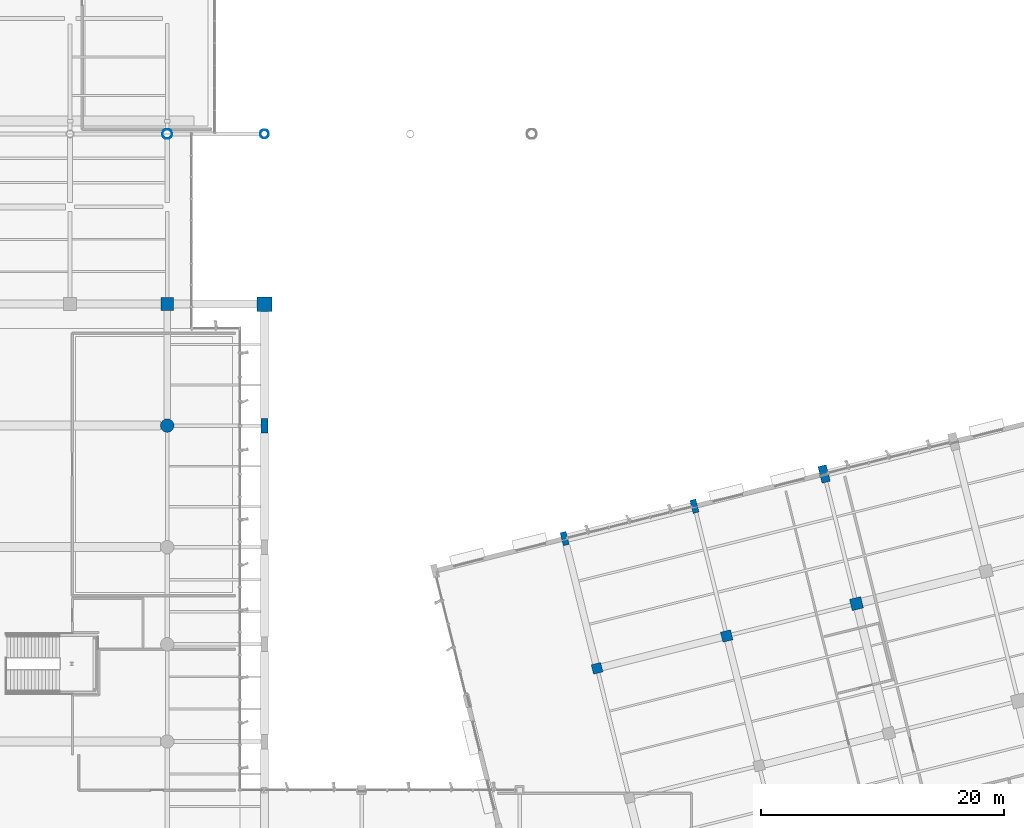
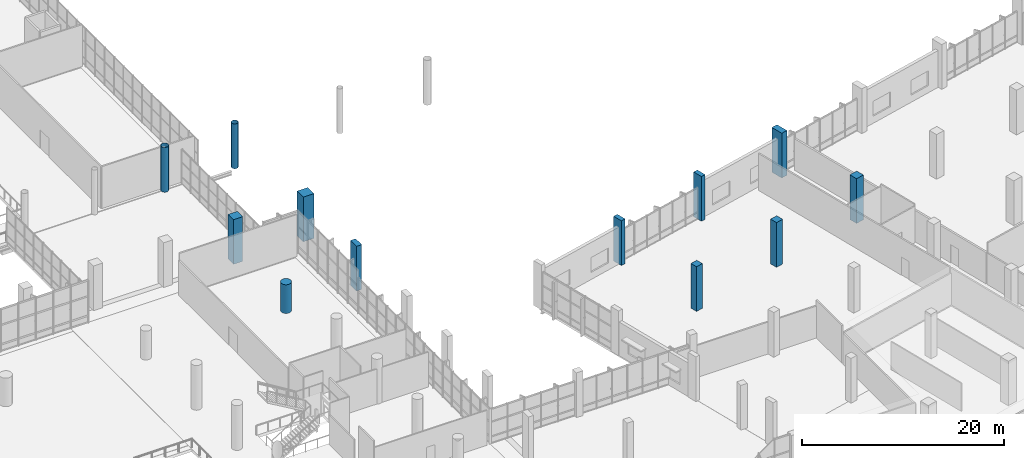
# One storey, part 14 of 176: 12 columns.
"""IFC4 building model written with IfcOpenShell, lengths in metres."""

from ifc_helpers import new_model, si_unit, direction, frame, origin, origin_2d, place, context, subcontext, project, spatial, rectangle, circle, hollow_circle, extrude, material, material_profile, profile_set, type_object, element, save


model = new_model("IFC4")

# Units and contexts
model_context = context("Model", 3, precision=1e-05, world=origin(), true_north=direction((0.0, 1.0)))
body_context = subcontext(model_context, "Body", "Model", "MODEL_VIEW")
ifc_project = project(units=[si_unit("LENGTHUNIT", "METRE"), si_unit("AREAUNIT", "SQUARE_METRE"), si_unit("VOLUMEUNIT", "CUBIC_METRE"), si_unit("PLANEANGLEUNIT", "RADIAN"), si_unit("MASSUNIT", "GRAM", prefix="KILO")], contexts=[model_context])

# Site, building, storey
site_placement = place(None, origin())
site = spatial("IfcSite", under=ifc_project, at=site_placement, CompositionType="ELEMENT")
building_placement = place(site_placement, origin())
building = spatial("IfcBuilding", under=site, at=building_placement, Name="Khorjan Park Terminus", CompositionType="ELEMENT")
storey_placement = place(building_placement, frame((0.0, 0.0, 6.0)))
storey = spatial("IfcBuildingStorey", under=building, at=storey_placement, Name="L01", CompositionType="ELEMENT", Elevation=6.0)

# Columns
ifc_material_1 = material(Name="Concrete C50/60", Category="concrete")
ifc_material_profile_1 = material_profile(ifc_material_1, rectangle(XDim=0.5, YDim=1.1, at=origin_2d()), Name="RC 500x1100")
ifc_profile_set_1 = profile_set([ifc_material_profile_1], Name="Concrete C50/60")
column_type_1 = type_object("IfcColumnType", Name="COL-BL1100E", PredefinedType="COLUMN", material=ifc_profile_set_1)
for number, where, z_axis, x_axis, name in (
    (1, (160.706, 68.701, 0.0), (0.0, 0.0, 1.0), (0.970295726276, 0.2419218956, 0.0), "Structural column C-BL11 (L01 #718)"),
    (2, (171.38, 71.362, 0.0), (0.0, 0.0, 1.0), (0.970295726276, 0.2419218956, 0.0), "Structural column C-BL11 (L01 #747)"),
):
    element("IfcColumn", number, at=place(storey_placement, frame(where, z_axis=z_axis, x_axis=x_axis)), inside=storey, type_object=column_type_1, Name=name, PredefinedType="COLUMN", context=body_context, shape_type="SweptSolid", body=[
        extrude(rectangle(XDim=0.5, YDim=1.1, at=origin_2d()), origin(), (0.0, 0.0, 1.0), 5.4),
    ])
ifc_material_profile_2 = material_profile(ifc_material_1, rectangle(XDim=0.6, YDim=1.2, at=origin_2d()), Name="RC 600x1200")
ifc_profile_set_2 = profile_set([ifc_material_profile_2], Name="Concrete C50/60")
column_type_2 = type_object("IfcColumnType", Name="COL-BL1200", PredefinedType="COLUMN", material=ifc_profile_set_2)
column_1_placement = place(storey_placement, frame((136.0, 78.0, 0.0), z_axis=(0.0, 0.0, 1.0), x_axis=(1.0, 0.0, 0.0)))
element("IfcColumn", 3, at=column_1_placement, inside=storey, type_object=column_type_2, Name="Structural column C-BL12 (L01 #498)", PredefinedType="COLUMN", context=body_context, shape_type="SweptSolid", body=[
    extrude(rectangle(XDim=0.6, YDim=1.2, at=origin_2d()), origin(), (0.0, 0.0, 1.0), 5.4),
])
ifc_material_profile_3 = material_profile(ifc_material_1, rectangle(XDim=0.7, YDim=1.4, at=origin_2d()), Name="RC 700x1400")
ifc_profile_set_3 = profile_set([ifc_material_profile_3], Name="Concrete C50/60")
column_type_3 = type_object("IfcColumnType", Name="COL-BL1400E", PredefinedType="COLUMN", material=ifc_profile_set_3)
column_2_placement = place(storey_placement, frame((182.053, 74.023, 0.0), z_axis=(0.0, 0.0, 1.0), x_axis=(0.970295726276, 0.2419218956, 0.0)))
element("IfcColumn", 4, at=column_2_placement, inside=storey, type_object=column_type_3, Name="Structural column C-BL14 (L01 #787)", PredefinedType="COLUMN", context=body_context, shape_type="SweptSolid", body=[
    extrude(rectangle(XDim=0.7, YDim=1.4, at=origin_2d()), origin(), (0.0, 0.0, 1.0), 5.4),
])
ifc_material_profile_4 = material_profile(ifc_material_1, rectangle(XDim=1.05, YDim=1.05, at=origin_2d()), Name="RC 1050x1050")
ifc_profile_set_4 = profile_set([ifc_material_profile_4], Name="Concrete C50/60")
column_type_4 = type_object("IfcColumnType", Name="COL-RC1050", PredefinedType="COLUMN", material=ifc_profile_set_4)
column_3_placement = place(storey_placement, frame((128.0, 88.0, 0.0), z_axis=(0.0, 0.0, 1.0), x_axis=(1.0, 0.0, 0.0)))
element("IfcColumn", 5, at=column_3_placement, inside=storey, type_object=column_type_4, Name="Structural column C-RC105 (L01 #463)", PredefinedType="COLUMN", context=body_context, shape_type="SweptSolid", body=[
    extrude(rectangle(XDim=1.05, YDim=1.05, at=origin_2d()), origin(), (0.0, 0.0, 1.0), 5.4),
])
ifc_material_profile_5 = material_profile(ifc_material_1, rectangle(XDim=1.2, YDim=1.2, at=origin_2d()), Name="RC 1200x1200")
ifc_profile_set_5 = profile_set([ifc_material_profile_5], Name="Concrete C50/60")
column_type_5 = type_object("IfcColumnType", Name="COL-RC1200", PredefinedType="COLUMN", material=ifc_profile_set_5)
column_4_placement = place(storey_placement, frame((136.0, 88.0, 0.0), z_axis=(0.0, 0.0, 1.0), x_axis=(1.0, 0.0, 0.0)))
element("IfcColumn", 6, at=column_4_placement, inside=storey, type_object=column_type_5, Name="Structural column C-RC12 (L01 #503)", PredefinedType="COLUMN", context=body_context, shape_type="SweptSolid", body=[
    extrude(rectangle(XDim=1.2, YDim=1.2, at=origin_2d()), origin(), (0.0, 0.0, 1.0), 5.4),
])
ifc_material_2 = material(Name="Concrete C40/50", Category="concrete")
ifc_material_profile_6 = material_profile(ifc_material_2, rectangle(XDim=0.8, YDim=0.8, at=origin_2d()), Name="RC 800x800")
ifc_profile_set_6 = profile_set([ifc_material_profile_6], Name="Concrete C40/50")
column_type_6 = type_object("IfcColumnType", Name="COL-RC800", PredefinedType="COLUMN", material=ifc_profile_set_6)
column_5_placement = place(storey_placement, frame((163.368, 58.027, 0.0), z_axis=(0.0, 0.0, 1.0), x_axis=(0.970295726276, 0.2419218956, 0.0)))
element("IfcColumn", 7, at=column_5_placement, inside=storey, type_object=column_type_6, Name="Structural column C-RC08 (L01 #715)", PredefinedType="COLUMN", context=body_context, shape_type="SweptSolid", body=[
    extrude(rectangle(XDim=0.8, YDim=0.8, at=origin_2d()), origin(), (0.0, 0.0, 1.0), 5.4),
])
ifc_material_profile_7 = material_profile(ifc_material_2, rectangle(XDim=0.85, YDim=0.85, at=origin_2d()), Name="RC 850x850")
ifc_profile_set_7 = profile_set([ifc_material_profile_7], Name="Concrete C40/50")
column_type_7 = type_object("IfcColumnType", Name="COL-RC850", PredefinedType="COLUMN", material=ifc_profile_set_7)
column_6_placement = place(storey_placement, frame((174.041, 60.688, 0.0), z_axis=(0.0, 0.0, 1.0), x_axis=(0.970295726276, 0.2419218956, 0.0)))
element("IfcColumn", 8, at=column_6_placement, inside=storey, type_object=column_type_7, Name="Structural column C-RC85 (L01 #743)", PredefinedType="COLUMN", context=body_context, shape_type="SweptSolid", body=[
    extrude(rectangle(XDim=0.85, YDim=0.85, at=origin_2d()), origin(), (0.0, 0.0, 1.0), 5.4),
])
ifc_material_profile_8 = material_profile(ifc_material_1, rectangle(XDim=0.95, YDim=0.95, at=origin_2d()), Name="RC 950x950")
ifc_profile_set_8 = profile_set([ifc_material_profile_8], Name="Concrete C50/60")
column_type_8 = type_object("IfcColumnType", Name="COL-RC950", PredefinedType="COLUMN", material=ifc_profile_set_8)
column_7_placement = place(storey_placement, frame((184.714, 63.35, 0.0), z_axis=(0.0, 0.0, 1.0), x_axis=(0.970295726276, 0.2419218956, 0.0)))
element("IfcColumn", 9, at=column_7_placement, inside=storey, type_object=column_type_8, Name="Structural column C-RC95 (L01 #782)", PredefinedType="COLUMN", context=body_context, shape_type="SweptSolid", body=[
    extrude(rectangle(XDim=0.95, YDim=0.95, at=origin_2d()), origin(), (0.0, 0.0, 1.0), 5.4),
])
ifc_material_profile_9 = material_profile(ifc_material_1, circle(Radius=0.55, at=origin_2d()), Name="RC D1100")
ifc_profile_set_9 = profile_set([ifc_material_profile_9], Name="Concrete C50/60")
column_type_9 = type_object("IfcColumnType", Name="COL-RD1100", PredefinedType="COLUMN", material=ifc_profile_set_9)
column_8_placement = place(storey_placement, frame((128.0, 78.0, 0.0), z_axis=(0.0, 0.0, 1.0), x_axis=(1.0, 0.0, 0.0)))
element("IfcColumn", 10, at=column_8_placement, inside=storey, type_object=column_type_9, Name="Structural column C-RD11 (L01 #460)", PredefinedType="COLUMN", context=body_context, shape_type="SweptSolid", body=[
    extrude(circle(Radius=0.55, at=origin_2d()), origin(), (0.0, 0.0, 1.0), 3.48),
])
ifc_material_3 = material(Name="Steel S355", Category="steel")
ifc_material_profile_10 = material_profile(ifc_material_3, hollow_circle(Radius=0.3555, WallThickness=0.025, at=origin_2d()), Name="CHS 711x25")
ifc_profile_set_10 = profile_set([ifc_material_profile_10], Name="Steel S355")
column_type_10 = type_object("IfcColumnType", Name="COL-SH711E", PredefinedType="COLUMN", material=ifc_profile_set_10)
column_9_placement = place(storey_placement, frame((136.0, 102.0, 0.0), z_axis=(0.0, 0.0, 1.0), x_axis=(1.0, 0.0, 0.0)))
element("IfcColumn", 11, at=column_9_placement, inside=storey, type_object=column_type_10, Name="Structural column SC-71 (L01 #196)", PredefinedType="COLUMN", context=body_context, shape_type="SweptSolid", body=[
    extrude(hollow_circle(Radius=0.3555, WallThickness=0.025, at=origin_2d()), origin(), (0.0, 0.0, 1.0), 5.4),
])
ifc_material_profile_11 = material_profile(ifc_material_3, hollow_circle(Radius=0.4065, WallThickness=0.025, at=origin_2d()), Name="CHS 813x25")
ifc_profile_set_11 = profile_set([ifc_material_profile_11], Name="Steel S355")
column_type_11 = type_object("IfcColumnType", Name="COL-SH813E", PredefinedType="COLUMN", material=ifc_profile_set_11)
column_10_placement = place(storey_placement, frame((128.0, 102.0, 0.0), z_axis=(0.0, 0.0, 1.0), x_axis=(1.0, 0.0, 0.0)))
element("IfcColumn", 12, at=column_10_placement, inside=storey, type_object=column_type_11, Name="Structural column SC-81 (L01 #187)", PredefinedType="COLUMN", context=body_context, shape_type="SweptSolid", body=[
    extrude(hollow_circle(Radius=0.4065, WallThickness=0.025, at=origin_2d()), origin(), (0.0, 0.0, 1.0), 5.4),
])

save(model, "model.ifc")
